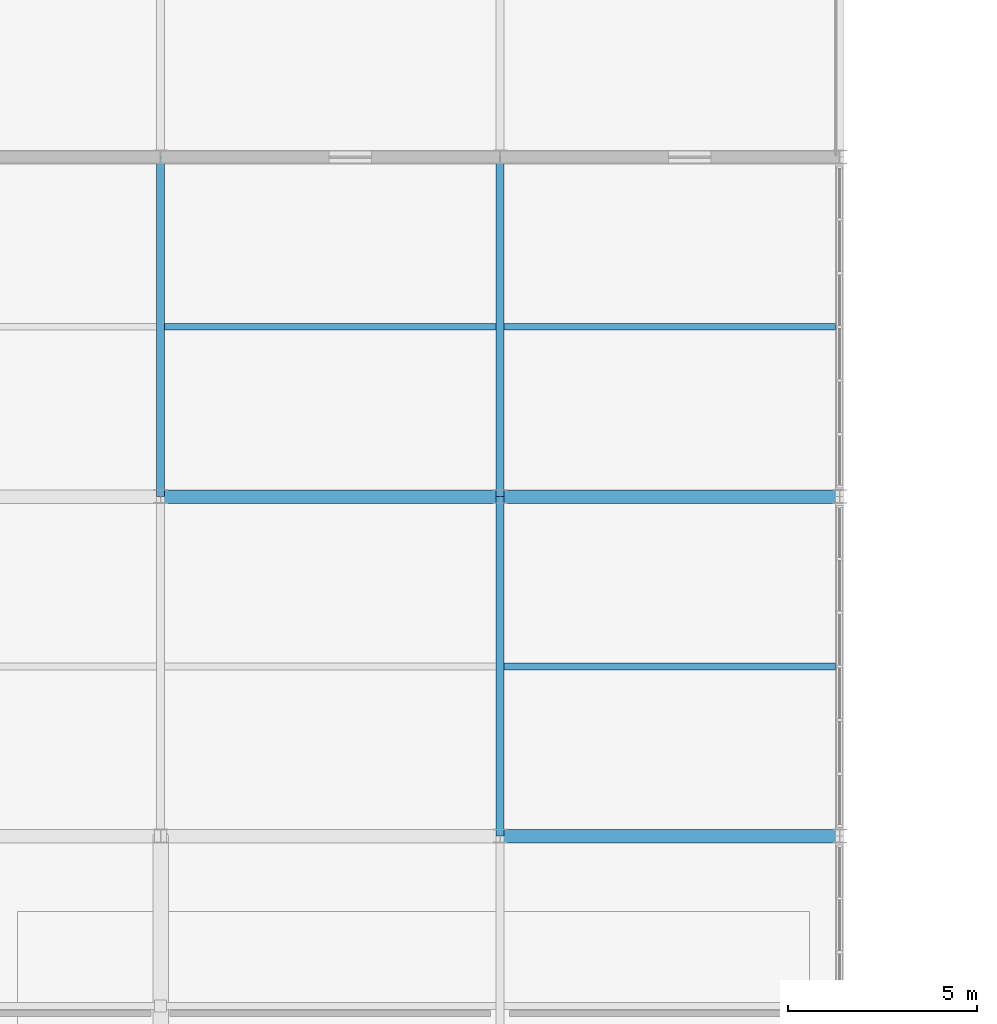
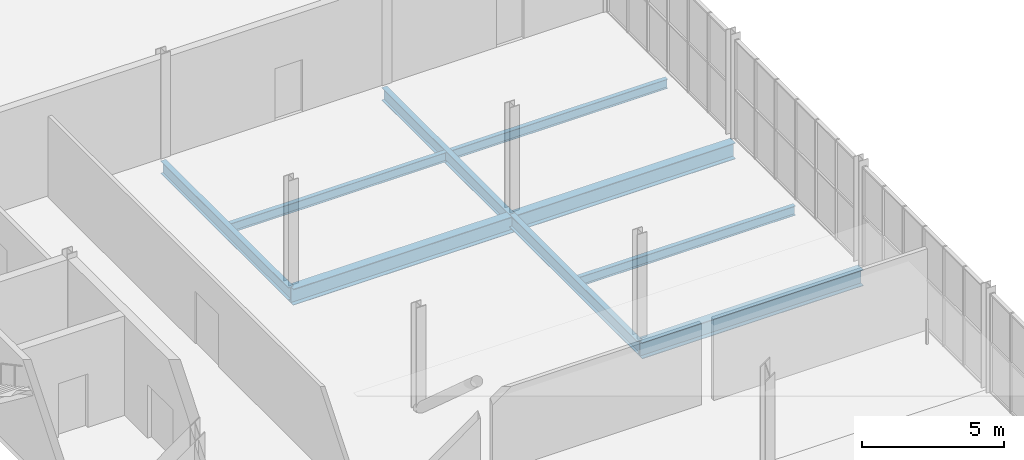
# One storey, part 30 of 103: 9 beams.
"""IFC4 building model written with IfcOpenShell, lengths in metres."""

from ifc_helpers import new_model, si_unit, direction, frame, origin, origin_2d, place, context, subcontext, project, spatial, i_section, extrude, material, material_profile, profile_set, type_object, element, save


model = new_model("IFC4")

# Units and contexts
model_context = context("Model", 3, precision=1e-05, world=origin(), true_north=direction((0.0, 1.0)))
body_context = subcontext(model_context, "Body", "Model", "MODEL_VIEW")
ifc_project = project(units=[si_unit("LENGTHUNIT", "METRE"), si_unit("AREAUNIT", "SQUARE_METRE"), si_unit("VOLUMEUNIT", "CUBIC_METRE"), si_unit("PLANEANGLEUNIT", "RADIAN"), si_unit("MASSUNIT", "GRAM", prefix="KILO")], contexts=[model_context])

# Site, building, storey
site_placement = place(None, origin())
site = spatial("IfcSite", under=ifc_project, at=site_placement, CompositionType="ELEMENT")
building_placement = place(site_placement, origin())
building = spatial("IfcBuilding", under=site, at=building_placement, Name="Cazmaro Siding Exhibition Halls", CompositionType="ELEMENT")
storey_placement = place(building_placement, frame((0.0, 0.0, 16.5)))
storey = spatial("IfcBuildingStorey", under=building, at=storey_placement, Name="L03", CompositionType="ELEMENT", Elevation=16.5)

# Beams
ifc_material_1 = material(Name="Steel ASTM A992 Grade 50", Category="steel")
ifc_material_profile_1 = material_profile(ifc_material_1, i_section(OverallWidth=0.214111328125, OverallDepth=0.549072265625, WebThickness=0.014892578125, FlangeThickness=0.02392578125, at=origin_2d()), Name="W21X93")
ifc_profile_set_1 = profile_set([ifc_material_profile_1], Name="Steel ASTM A992 Grade 50")
beam_type_1 = type_object("IfcBeamType", Name="B-01", PredefinedType="BEAM", material=ifc_profile_set_1)
for number, where, z_axis, x_axis, name in (
    (1, (18.0, 100.0, -0.493896484375), (0.0, 1.0, 0.0), (-1.0, 0.0, 0.0), "Beam B-01 BM-2259"),
    (2, (27.0, 91.0, -0.493896484375), (0.0, 1.0, 0.0), (-1.0, 0.0, 0.0), "Beam B-01 BM-2266"),
    (3, (27.0, 100.0, -0.493896484375), (0.0, 1.0, 0.0), (-1.0, 0.0, 0.0), "Beam B-01 BM-2267"),
):
    element("IfcBeam", number, at=place(storey_placement, frame(where, z_axis=z_axis, x_axis=x_axis)), inside=storey, type_object=beam_type_1, Name=name, PredefinedType="BEAM", context=body_context, shape_type="SweptSolid", body=[
        extrude(i_section(OverallWidth=0.214111328125, OverallDepth=0.549072265625, WebThickness=0.014892578125, FlangeThickness=0.02392578125, at=origin_2d()), origin(), (0.0, 0.0, 1.0), 9.0),
    ])
ifc_material_2 = material(Name="Steel ASTM A992 Grade 50", Category="steel")
ifc_material_profile_2 = material_profile(ifc_material_2, i_section(OverallWidth=0.35595703125, OverallDepth=0.696044921875, WebThickness=0.014892578125, FlangeThickness=0.02490234375, at=origin_2d()), Name="W27X146")
ifc_profile_set_2 = profile_set([ifc_material_profile_2], Name="Steel ASTM A992 Grade 50")
beam_type_2 = type_object("IfcBeamType", Name="G-05", PredefinedType="USERDEFINED", material=ifc_profile_set_2)
for number, where, z_axis, x_axis, name in (
    (4, (18.0, 100.0, -0.568115234375), (1.0, 0.0, 0.0), (0.0, 1.0, 0.0), "Beam G-05 BM-2209"),
    (5, (27.0, 91.0, -0.568115234375), (1.0, 0.0, 0.0), (0.0, 1.0, 0.0), "Beam G-05 BM-2225"),
    (6, (27.0, 100.0, -0.568115234375), (1.0, 0.0, 0.0), (0.0, 1.0, 0.0), "Beam G-05 BM-2226"),
):
    element("IfcBeam", number, at=place(storey_placement, frame(where, z_axis=z_axis, x_axis=x_axis)), inside=storey, type_object=beam_type_2, Name=name, ObjectType="GIRDER", PredefinedType="USERDEFINED", context=body_context, shape_type="SweptSolid", body=[
        extrude(i_section(OverallWidth=0.35595703125, OverallDepth=0.696044921875, WebThickness=0.014892578125, FlangeThickness=0.02490234375, at=origin_2d()), origin(), (0.0, 0.0, 1.0), 9.0),
    ])
ifc_material_3 = material(Name="Steel ASTM A992 Grade 50", Category="steel")
ifc_material_profile_3 = material_profile(ifc_material_3, i_section(OverallWidth=0.177978515625, OverallDepth=0.406005859375, WebThickness=0.008056640625, FlangeThickness=0.012939453125, at=origin_2d()), Name="W16X40")
ifc_profile_set_3 = profile_set([ifc_material_profile_3], Name="Steel ASTM A992 Grade 50")
beam_type_3 = type_object("IfcBeamType", Name="J-02", PredefinedType="JOIST", material=ifc_profile_set_3)
for number, where, z_axis, x_axis, name in (
    (7, (18.10693359375, 104.5, -0.423095703125), (1.0, 0.0, 0.0), (0.0, 1.0, 0.0), "Beam J-02 BM-2218"),
    (8, (27.10693359375, 95.5, -0.423095703125), (1.0, 0.0, 0.0), (0.0, 1.0, 0.0), "Beam J-02 BM-2234"),
    (9, (27.10693359375, 104.5, -0.423095703125), (1.0, 0.0, 0.0), (0.0, 1.0, 0.0), "Beam J-02 BM-2235"),
):
    element("IfcBeam", number, at=place(storey_placement, frame(where, z_axis=z_axis, x_axis=x_axis)), inside=storey, type_object=beam_type_3, Name=name, PredefinedType="JOIST", context=body_context, shape_type="SweptSolid", body=[
        extrude(i_section(OverallWidth=0.177978515625, OverallDepth=0.406005859375, WebThickness=0.008056640625, FlangeThickness=0.012939453125, at=origin_2d()), origin(), (0.0, 0.0, 1.0), 8.7861328125),
    ])

save(model, "model.ifc")
